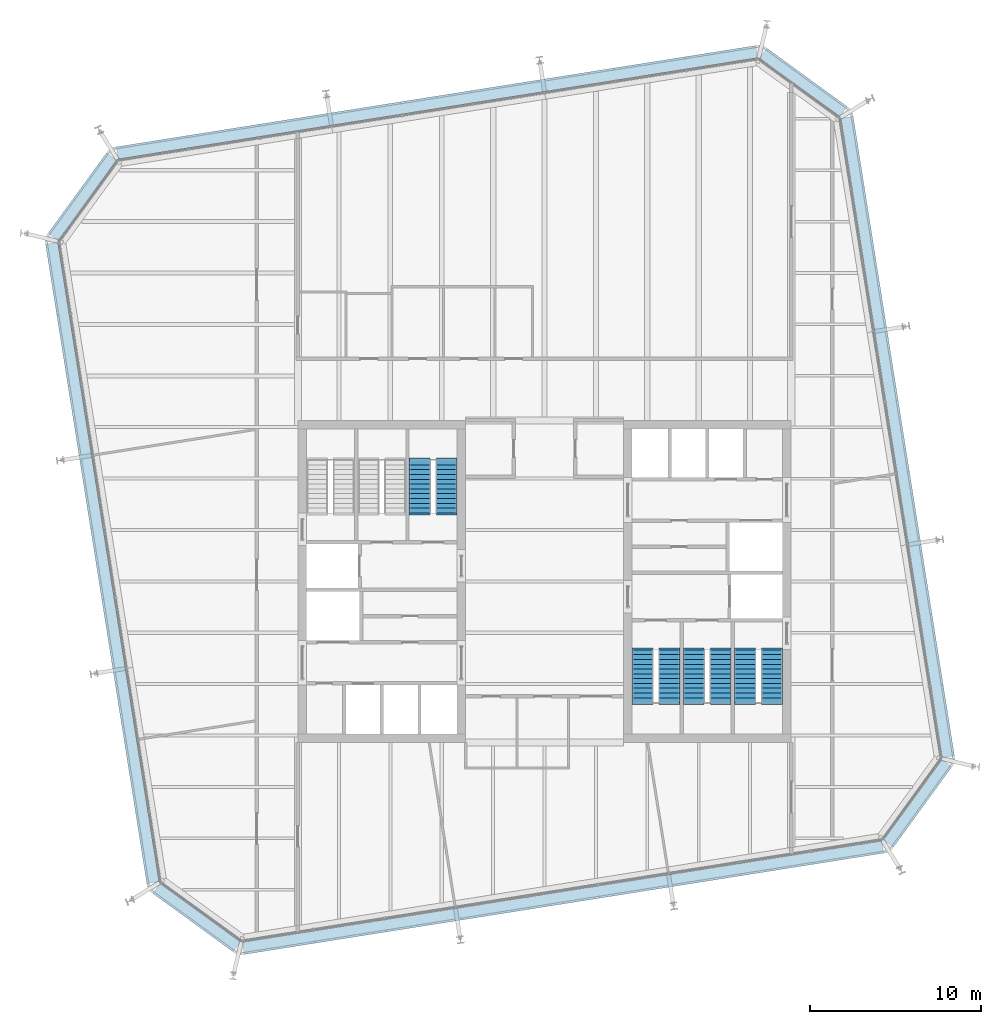
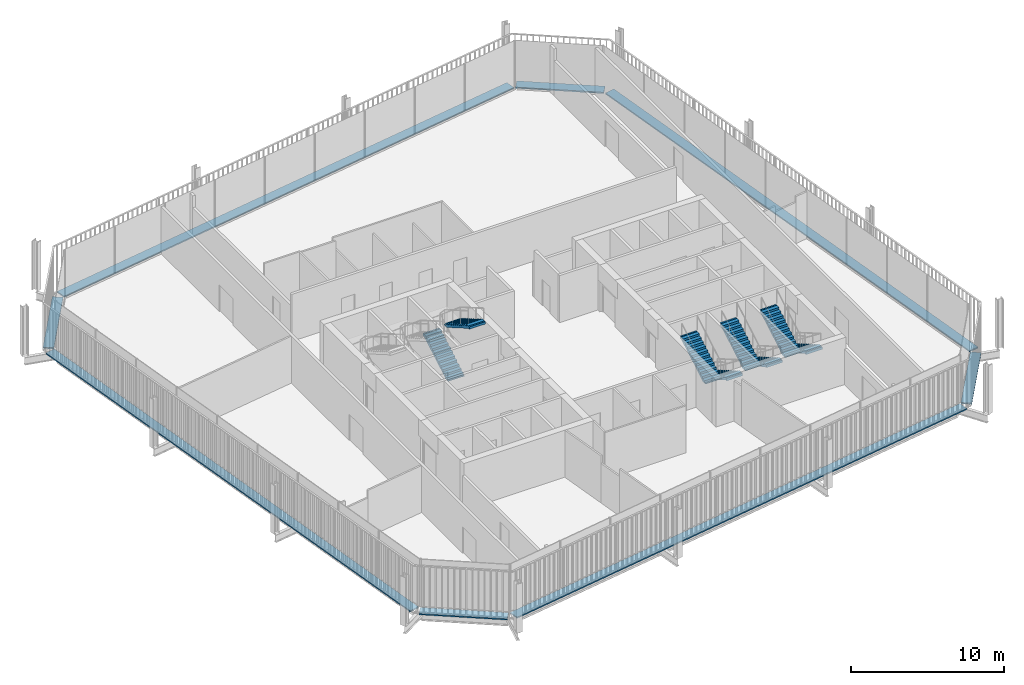
# One storey, part 19 of 20: 8 discrete accessories, 8 stair flights, 4 elements without a shape of their own.
"""IFC4 building model written with IfcOpenShell, lengths in metres."""

from ifc_helpers import new_model, si_unit, direction, frame, origin, origin_2d, place, context, subcontext, project, spatial, polyline, rectangle, outline, extrude, material, type_object, element, aggregate, save


model = new_model("IFC4")

# Units and contexts
model_context = context("Model", 3, precision=1e-05, world=origin(), true_north=direction((0.0, 1.0)))
body_context = subcontext(model_context, "Body", "Model", "MODEL_VIEW")
ifc_project = project(units=[si_unit("LENGTHUNIT", "METRE"), si_unit("AREAUNIT", "SQUARE_METRE"), si_unit("VOLUMEUNIT", "CUBIC_METRE"), si_unit("PLANEANGLEUNIT", "RADIAN"), si_unit("MASSUNIT", "GRAM", prefix="KILO")], contexts=[model_context])

# Site, building, storey
site_placement = place(None, origin())
site = spatial("IfcSite", under=ifc_project, at=site_placement, CompositionType="ELEMENT")
building_placement = place(site_placement, origin())
building = spatial("IfcBuilding", under=site, at=building_placement, Name="Millrace Tower", CompositionType="ELEMENT")
storey_placement = place(building_placement, frame((0.0, 0.0, 259.10009765625)))
storey = spatial("IfcBuildingStorey", under=building, at=storey_placement, Name="L59", CompositionType="ELEMENT", Elevation=259.10009765625)

# Stair, stair flights
ifc_material_1 = material(Name="Concrete C35", Category="concrete")
stair_type = type_object("IfcStairType", Name="Exit stair", PredefinedType="HALF_TURN_STAIR", material=ifc_material_1)
placement = place(storey_placement, origin())
stair_1 = element("IfcStair", 1, at=placement, inside=storey, type_object=stair_type, Name="Stair 3 W L59", PredefinedType="HALF_TURN_STAIR")
ifc_material_2 = material(Name="Concrete C35", Category="concrete")
stair_flight_type = type_object("IfcStairFlightType", Name="Exit stair flight", PredefinedType="STRAIGHT", material=ifc_material_2)
stair_flight_1_placement = place(storey_placement, frame((-7.2900390625, 4.0, 0.0), z_axis=(0.0, 0.0, 1.0), x_axis=(0.0, 1.0, 0.0)))
stair_flight_1 = element("IfcStairFlight", 2, at=stair_flight_1_placement, type_object=stair_flight_type, Name="ST12 flight 1", NumberOfRisers=12, NumberOfTreads=11, PredefinedType="STRAIGHT", RiserHeight=0.1625, TreadLength=0.28, context=body_context, shape_type="SweptSolid", body=[
    extrude(outline(polyline([(-0.1201171875, -0.0400390625), (-0.1201171875, 0.0), (0.0, 0.0), (0.0, 0.16259765625), (0.280029296875, 0.16259765625), (0.280029296875, 0.324951171875), (0.56005859375, 0.324951171875), (0.56005859375, 0.487548828125), (0.840087890625, 0.487548828125), (0.840087890625, 0.64990234375), (1.1201171875, 0.64990234375), (1.1201171875, 0.8125), (1.39990234375, 0.8125), (1.39990234375, 0.97509765625), (1.679931640625, 0.97509765625), (1.679931640625, 1.137451171875), (1.9599609375, 1.137451171875), (1.9599609375, 1.300048828125), (2.239990234375, 1.300048828125), (2.239990234375, 1.46240234375), (2.52001953125, 1.46240234375), (2.52001953125, 1.625), (2.800048828125, 1.625), (2.800048828125, 1.78759765625), (3.080078125, 1.78759765625), (3.080078125, 1.8076171875), (3.199951171875, 1.8076171875), (3.199951171875, 1.6142578125), (3.080078125, 1.6142578125), (0.298583984375, 0.0), (0.298583984375, -0.0400390625), (-0.1201171875, -0.0400390625)])), frame((0.0, 0.60986328125, 0.0), z_axis=(0.0, -1.0, 0.0), x_axis=(1.0, 0.0, 0.0)), (0.0, 0.0, 1.0), 1.219970703125),
])
stair_flight_2_placement = place(storey_placement, frame((-5.7099609375, 7.080078125, 1.949951171875), z_axis=(0.0, 0.0, 1.0), x_axis=(0.0, -1.0, 0.0)))
stair_flight_2 = element("IfcStairFlight", 3, at=stair_flight_2_placement, type_object=stair_flight_type, Name="ST12 flight 2", NumberOfRisers=12, NumberOfTreads=11, PredefinedType="STRAIGHT", RiserHeight=0.1625, TreadLength=0.28, context=body_context, shape_type="SweptSolid", body=[
    extrude(outline(polyline([(-0.1201171875, -0.0400390625), (-0.1201171875, 0.0), (0.0, 0.0), (0.0, 0.16259765625), (0.280029296875, 0.16259765625), (0.280029296875, 0.324951171875), (0.56005859375, 0.324951171875), (0.56005859375, 0.487548828125), (0.840087890625, 0.487548828125), (0.840087890625, 0.64990234375), (1.1201171875, 0.64990234375), (1.1201171875, 0.8125), (1.39990234375, 0.8125), (1.39990234375, 0.97509765625), (1.679931640625, 0.97509765625), (1.679931640625, 1.137451171875), (1.9599609375, 1.137451171875), (1.9599609375, 1.300048828125), (2.239990234375, 1.300048828125), (2.239990234375, 1.46240234375), (2.52001953125, 1.46240234375), (2.52001953125, 1.625), (2.800048828125, 1.625), (2.800048828125, 1.78759765625), (3.080078125, 1.78759765625), (3.080078125, 1.8076171875), (3.199951171875, 1.8076171875), (3.199951171875, 1.6142578125), (3.080078125, 1.6142578125), (0.298583984375, 0.0), (0.298583984375, -0.0400390625), (-0.1201171875, -0.0400390625)])), frame((0.0, 0.60986328125, 0.0), z_axis=(0.0, -1.0, 0.0), x_axis=(1.0, 0.0, 0.0)), (0.0, 0.0, 1.0), 1.219970703125),
])
aggregate(stair_1, [stair_flight_1, stair_flight_2])

stair_2 = element("IfcStair", 4, at=placement, inside=storey, type_object=stair_type, Name="Stair 1 E L59", PredefinedType="HALF_TURN_STAIR")
stair_flight_3_placement = place(storey_placement, frame((13.2900390625, -4.0, 0.0), z_axis=(0.0, 0.0, 1.0), x_axis=(0.0, -1.0, 0.0)))
stair_flight_3 = element("IfcStairFlight", 5, at=stair_flight_3_placement, type_object=stair_flight_type, Name="ST12 flight 1", NumberOfRisers=12, NumberOfTreads=11, PredefinedType="STRAIGHT", RiserHeight=0.1625, TreadLength=0.28, context=body_context, shape_type="SweptSolid", body=[
    extrude(outline(polyline([(-0.1201171875, -0.0400390625), (-0.1201171875, 0.0), (0.0, 0.0), (0.0, 0.16259765625), (0.280029296875, 0.16259765625), (0.280029296875, 0.324951171875), (0.56005859375, 0.324951171875), (0.56005859375, 0.487548828125), (0.840087890625, 0.487548828125), (0.840087890625, 0.64990234375), (1.1201171875, 0.64990234375), (1.1201171875, 0.8125), (1.39990234375, 0.8125), (1.39990234375, 0.97509765625), (1.679931640625, 0.97509765625), (1.679931640625, 1.137451171875), (1.9599609375, 1.137451171875), (1.9599609375, 1.300048828125), (2.239990234375, 1.300048828125), (2.239990234375, 1.46240234375), (2.52001953125, 1.46240234375), (2.52001953125, 1.625), (2.800048828125, 1.625), (2.800048828125, 1.78759765625), (3.080078125, 1.78759765625), (3.080078125, 1.8076171875), (3.199951171875, 1.8076171875), (3.199951171875, 1.6142578125), (3.080078125, 1.6142578125), (0.298583984375, 0.0), (0.298583984375, -0.0400390625), (-0.1201171875, -0.0400390625)])), frame((0.0, 0.60986328125, 0.0), z_axis=(0.0, -1.0, 0.0), x_axis=(1.0, 0.0, 0.0)), (0.0, 0.0, 1.0), 1.219970703125),
])
stair_flight_4_placement = place(storey_placement, frame((11.7099609375, -7.080078125, 1.949951171875), z_axis=(0.0, 0.0, 1.0), x_axis=(0.0, 1.0, 0.0)))
stair_flight_4 = element("IfcStairFlight", 6, at=stair_flight_4_placement, type_object=stair_flight_type, Name="ST12 flight 2", NumberOfRisers=12, NumberOfTreads=11, PredefinedType="STRAIGHT", RiserHeight=0.1625, TreadLength=0.28, context=body_context, shape_type="SweptSolid", body=[
    extrude(outline(polyline([(-0.1201171875, -0.0400390625), (-0.1201171875, 0.0), (0.0, 0.0), (0.0, 0.16259765625), (0.280029296875, 0.16259765625), (0.280029296875, 0.324951171875), (0.56005859375, 0.324951171875), (0.56005859375, 0.487548828125), (0.840087890625, 0.487548828125), (0.840087890625, 0.64990234375), (1.1201171875, 0.64990234375), (1.1201171875, 0.8125), (1.39990234375, 0.8125), (1.39990234375, 0.97509765625), (1.679931640625, 0.97509765625), (1.679931640625, 1.137451171875), (1.9599609375, 1.137451171875), (1.9599609375, 1.300048828125), (2.239990234375, 1.300048828125), (2.239990234375, 1.46240234375), (2.52001953125, 1.46240234375), (2.52001953125, 1.625), (2.800048828125, 1.625), (2.800048828125, 1.78759765625), (3.080078125, 1.78759765625), (3.080078125, 1.8076171875), (3.199951171875, 1.8076171875), (3.199951171875, 1.6142578125), (3.080078125, 1.6142578125), (0.298583984375, 0.0), (0.298583984375, -0.0400390625), (-0.1201171875, -0.0400390625)])), frame((0.0, 0.60986328125, 0.0), z_axis=(0.0, -1.0, 0.0), x_axis=(1.0, 0.0, 0.0)), (0.0, 0.0, 1.0), 1.219970703125),
])
aggregate(stair_2, [stair_flight_3, stair_flight_4])

stair_3 = element("IfcStair", 7, at=placement, inside=storey, type_object=stair_type, Name="Stair 2 E L59", PredefinedType="HALF_TURN_STAIR")
stair_flight_5_placement = place(storey_placement, frame((10.2900390625, -4.0, 0.0), z_axis=(0.0, 0.0, 1.0), x_axis=(0.0, -1.0, 0.0)))
stair_flight_5 = element("IfcStairFlight", 8, at=stair_flight_5_placement, type_object=stair_flight_type, Name="ST12 flight 1", NumberOfRisers=12, NumberOfTreads=11, PredefinedType="STRAIGHT", RiserHeight=0.1625, TreadLength=0.28, context=body_context, shape_type="SweptSolid", body=[
    extrude(outline(polyline([(-0.1201171875, -0.0400390625), (-0.1201171875, 0.0), (0.0, 0.0), (0.0, 0.16259765625), (0.280029296875, 0.16259765625), (0.280029296875, 0.324951171875), (0.56005859375, 0.324951171875), (0.56005859375, 0.487548828125), (0.840087890625, 0.487548828125), (0.840087890625, 0.64990234375), (1.1201171875, 0.64990234375), (1.1201171875, 0.8125), (1.39990234375, 0.8125), (1.39990234375, 0.97509765625), (1.679931640625, 0.97509765625), (1.679931640625, 1.137451171875), (1.9599609375, 1.137451171875), (1.9599609375, 1.300048828125), (2.239990234375, 1.300048828125), (2.239990234375, 1.46240234375), (2.52001953125, 1.46240234375), (2.52001953125, 1.625), (2.800048828125, 1.625), (2.800048828125, 1.78759765625), (3.080078125, 1.78759765625), (3.080078125, 1.8076171875), (3.199951171875, 1.8076171875), (3.199951171875, 1.6142578125), (3.080078125, 1.6142578125), (0.298583984375, 0.0), (0.298583984375, -0.0400390625), (-0.1201171875, -0.0400390625)])), frame((0.0, 0.60986328125, 0.0), z_axis=(0.0, -1.0, 0.0), x_axis=(1.0, 0.0, 0.0)), (0.0, 0.0, 1.0), 1.219970703125),
])
stair_flight_6_placement = place(storey_placement, frame((8.7099609375, -7.080078125, 1.949951171875), z_axis=(0.0, 0.0, 1.0), x_axis=(0.0, 1.0, 0.0)))
stair_flight_6 = element("IfcStairFlight", 9, at=stair_flight_6_placement, type_object=stair_flight_type, Name="ST12 flight 2", NumberOfRisers=12, NumberOfTreads=11, PredefinedType="STRAIGHT", RiserHeight=0.1625, TreadLength=0.28, context=body_context, shape_type="SweptSolid", body=[
    extrude(outline(polyline([(-0.1201171875, -0.0400390625), (-0.1201171875, 0.0), (0.0, 0.0), (0.0, 0.16259765625), (0.280029296875, 0.16259765625), (0.280029296875, 0.324951171875), (0.56005859375, 0.324951171875), (0.56005859375, 0.487548828125), (0.840087890625, 0.487548828125), (0.840087890625, 0.64990234375), (1.1201171875, 0.64990234375), (1.1201171875, 0.8125), (1.39990234375, 0.8125), (1.39990234375, 0.97509765625), (1.679931640625, 0.97509765625), (1.679931640625, 1.137451171875), (1.9599609375, 1.137451171875), (1.9599609375, 1.300048828125), (2.239990234375, 1.300048828125), (2.239990234375, 1.46240234375), (2.52001953125, 1.46240234375), (2.52001953125, 1.625), (2.800048828125, 1.625), (2.800048828125, 1.78759765625), (3.080078125, 1.78759765625), (3.080078125, 1.8076171875), (3.199951171875, 1.8076171875), (3.199951171875, 1.6142578125), (3.080078125, 1.6142578125), (0.298583984375, 0.0), (0.298583984375, -0.0400390625), (-0.1201171875, -0.0400390625)])), frame((0.0, 0.60986328125, 0.0), z_axis=(0.0, -1.0, 0.0), x_axis=(1.0, 0.0, 0.0)), (0.0, 0.0, 1.0), 1.219970703125),
])
aggregate(stair_3, [stair_flight_5, stair_flight_6])

stair_4 = element("IfcStair", 10, at=placement, inside=storey, type_object=stair_type, Name="Stair 3 E L59", PredefinedType="HALF_TURN_STAIR")
stair_flight_7_placement = place(storey_placement, frame((7.2900390625, -4.0, 0.0), z_axis=(0.0, 0.0, 1.0), x_axis=(0.0, -1.0, 0.0)))
stair_flight_7 = element("IfcStairFlight", 11, at=stair_flight_7_placement, type_object=stair_flight_type, Name="ST12 flight 1", NumberOfRisers=12, NumberOfTreads=11, PredefinedType="STRAIGHT", RiserHeight=0.1625, TreadLength=0.28, context=body_context, shape_type="SweptSolid", body=[
    extrude(outline(polyline([(-0.1201171875, -0.0400390625), (-0.1201171875, 0.0), (0.0, 0.0), (0.0, 0.16259765625), (0.280029296875, 0.16259765625), (0.280029296875, 0.324951171875), (0.56005859375, 0.324951171875), (0.56005859375, 0.487548828125), (0.840087890625, 0.487548828125), (0.840087890625, 0.64990234375), (1.1201171875, 0.64990234375), (1.1201171875, 0.8125), (1.39990234375, 0.8125), (1.39990234375, 0.97509765625), (1.679931640625, 0.97509765625), (1.679931640625, 1.137451171875), (1.9599609375, 1.137451171875), (1.9599609375, 1.300048828125), (2.239990234375, 1.300048828125), (2.239990234375, 1.46240234375), (2.52001953125, 1.46240234375), (2.52001953125, 1.625), (2.800048828125, 1.625), (2.800048828125, 1.78759765625), (3.080078125, 1.78759765625), (3.080078125, 1.8076171875), (3.199951171875, 1.8076171875), (3.199951171875, 1.6142578125), (3.080078125, 1.6142578125), (0.298583984375, 0.0), (0.298583984375, -0.0400390625), (-0.1201171875, -0.0400390625)])), frame((0.0, 0.60986328125, 0.0), z_axis=(0.0, -1.0, 0.0), x_axis=(1.0, 0.0, 0.0)), (0.0, 0.0, 1.0), 1.219970703125),
])
stair_flight_8_placement = place(storey_placement, frame((5.7099609375, -7.080078125, 1.949951171875), z_axis=(0.0, 0.0, 1.0), x_axis=(0.0, 1.0, 0.0)))
stair_flight_8 = element("IfcStairFlight", 12, at=stair_flight_8_placement, type_object=stair_flight_type, Name="ST12 flight 2", NumberOfRisers=12, NumberOfTreads=11, PredefinedType="STRAIGHT", RiserHeight=0.1625, TreadLength=0.28, context=body_context, shape_type="SweptSolid", body=[
    extrude(outline(polyline([(-0.1201171875, -0.0400390625), (-0.1201171875, 0.0), (0.0, 0.0), (0.0, 0.16259765625), (0.280029296875, 0.16259765625), (0.280029296875, 0.324951171875), (0.56005859375, 0.324951171875), (0.56005859375, 0.487548828125), (0.840087890625, 0.487548828125), (0.840087890625, 0.64990234375), (1.1201171875, 0.64990234375), (1.1201171875, 0.8125), (1.39990234375, 0.8125), (1.39990234375, 0.97509765625), (1.679931640625, 0.97509765625), (1.679931640625, 1.137451171875), (1.9599609375, 1.137451171875), (1.9599609375, 1.300048828125), (2.239990234375, 1.300048828125), (2.239990234375, 1.46240234375), (2.52001953125, 1.46240234375), (2.52001953125, 1.625), (2.800048828125, 1.625), (2.800048828125, 1.78759765625), (3.080078125, 1.78759765625), (3.080078125, 1.8076171875), (3.199951171875, 1.8076171875), (3.199951171875, 1.6142578125), (3.080078125, 1.6142578125), (0.298583984375, 0.0), (0.298583984375, -0.0400390625), (-0.1201171875, -0.0400390625)])), frame((0.0, 0.60986328125, 0.0), z_axis=(0.0, -1.0, 0.0), x_axis=(1.0, 0.0, 0.0)), (0.0, 0.0, 1.0), 1.219970703125),
])
aggregate(stair_4, [stair_flight_7, stair_flight_8])

# Discrete accessories
ifc_material_3 = material(Name="Stainless steel ASTM A240 type 316", Category="steel")
discrete_accessory_type = type_object("IfcDiscreteAccessoryType", Name="Thermally broken screen support rail", PredefinedType="BRACKET", material=ifc_material_3)
discrete_accessory_1_placement = place(storey_placement, frame((-20.314453125, -19.632080078125, -0.000244140625), z_axis=(0.0, 0.0, 1.0), x_axis=(0.809016955361, -0.587785305991, 0.0)))
element("IfcDiscreteAccessory", 13, at=discrete_accessory_1_placement, inside=storey, type_object=discrete_accessory_type, Name="Thermally broken screen support rail D-F01 L59 1", PredefinedType="BRACKET", context=body_context, shape_type="SweptSolid", body=[
    extrude(rectangle(XDim=5.79833984375, YDim=0.719970703125, at=origin_2d()), origin(), (0.0, 0.0, 1.0), 0.10009765625),
])
discrete_accessory_2_placement = place(storey_placement, frame((1.077880859375, -18.470458984375, -0.000244140625), z_axis=(0.0, 0.0, 1.0), x_axis=(0.987688339511, 0.156434471884, 0.0)))
element("IfcDiscreteAccessory", 14, at=discrete_accessory_2_placement, inside=storey, type_object=discrete_accessory_type, Name="Thermally broken screen support rail D-F02 L59 1", PredefinedType="BRACKET", context=body_context, shape_type="SweptSolid", body=[
    extrude(rectangle(XDim=37.800048828125, YDim=0.719970703125, at=origin_2d()), origin(), (0.0, 0.0, 1.0), 0.10009765625),
])
discrete_accessory_3_placement = place(storey_placement, frame((21.781982421875, -12.964599609375, -0.000244140625), z_axis=(0.0, 0.0, 1.0), x_axis=(0.587785305991, 0.809016955361, 0.0)))
element("IfcDiscreteAccessory", 15, at=discrete_accessory_3_placement, inside=storey, type_object=discrete_accessory_type, Name="Thermally broken screen support rail D-F03 L59 1", PredefinedType="BRACKET", context=body_context, shape_type="SweptSolid", body=[
    extrude(rectangle(XDim=5.79833984375, YDim=0.719970703125, at=origin_2d()), origin(), (0.0, 0.0, 1.0), 0.10009765625),
])
discrete_accessory_4_placement = place(storey_placement, frame((20.62060546875, 8.427734375, -0.000244140625), z_axis=(0.0, 0.0, 1.0), x_axis=(-0.156434471884, 0.987688339511, 0.0)))
element("IfcDiscreteAccessory", 16, at=discrete_accessory_4_placement, inside=storey, type_object=discrete_accessory_type, Name="Thermally broken screen support rail D-F04 L59 1", PredefinedType="BRACKET", context=body_context, shape_type="SweptSolid", body=[
    extrude(rectangle(XDim=37.800048828125, YDim=0.719970703125, at=origin_2d()), origin(), (0.0, 0.0, 1.0), 0.10009765625),
])
discrete_accessory_5_placement = place(storey_placement, frame((15.114501953125, 29.132080078125, -0.000244140625), z_axis=(0.0, 0.0, 1.0), x_axis=(-0.809016955361, 0.587785305991, 0.0)))
element("IfcDiscreteAccessory", 17, at=discrete_accessory_5_placement, inside=storey, type_object=discrete_accessory_type, Name="Thermally broken screen support rail D-F05 L59 1", PredefinedType="BRACKET", context=body_context, shape_type="SweptSolid", body=[
    extrude(rectangle(XDim=5.79833984375, YDim=0.719970703125, at=origin_2d()), origin(), (0.0, 0.0, 1.0), 0.10009765625),
])
discrete_accessory_6_placement = place(storey_placement, frame((-6.27783203125, 27.970458984375, -0.000244140625), z_axis=(0.0, 0.0, 1.0), x_axis=(-0.987688339511, -0.156434471884, 0.0)))
element("IfcDiscreteAccessory", 18, at=discrete_accessory_6_placement, inside=storey, type_object=discrete_accessory_type, Name="Thermally broken screen support rail D-F06 L59 1", PredefinedType="BRACKET", context=body_context, shape_type="SweptSolid", body=[
    extrude(rectangle(XDim=37.800048828125, YDim=0.719970703125, at=origin_2d()), origin(), (0.0, 0.0, 1.0), 0.10009765625),
])
discrete_accessory_7_placement = place(storey_placement, frame((-26.98193359375, 22.464599609375, -0.000244140625), z_axis=(0.0, 0.0, 1.0), x_axis=(-0.587785305991, -0.809016955361, 0.0)))
element("IfcDiscreteAccessory", 19, at=discrete_accessory_7_placement, inside=storey, type_object=discrete_accessory_type, Name="Thermally broken screen support rail D-F07 L59 1", PredefinedType="BRACKET", context=body_context, shape_type="SweptSolid", body=[
    extrude(rectangle(XDim=5.79833984375, YDim=0.719970703125, at=origin_2d()), origin(), (0.0, 0.0, 1.0), 0.10009765625),
])
discrete_accessory_8_placement = place(storey_placement, frame((-25.820556640625, 1.072265625, -0.000244140625), z_axis=(0.0, 0.0, 1.0), x_axis=(0.156434471884, -0.987688339511, 0.0)))
element("IfcDiscreteAccessory", 20, at=discrete_accessory_8_placement, inside=storey, type_object=discrete_accessory_type, Name="Thermally broken screen support rail D-F08 L59 1", PredefinedType="BRACKET", context=body_context, shape_type="SweptSolid", body=[
    extrude(rectangle(XDim=37.800048828125, YDim=0.719970703125, at=origin_2d()), origin(), (0.0, 0.0, 1.0), 0.10009765625),
])

save(model, "model.ifc")
